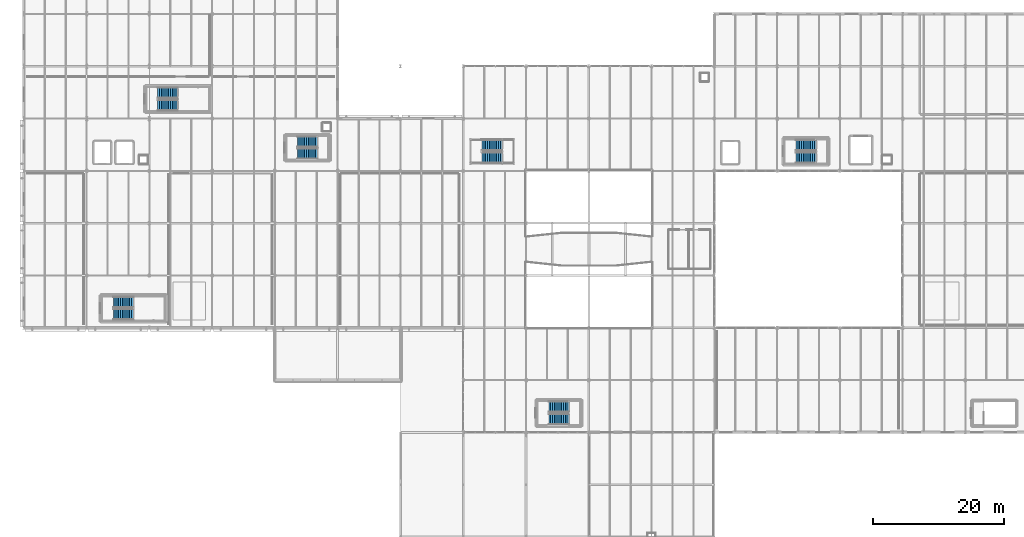
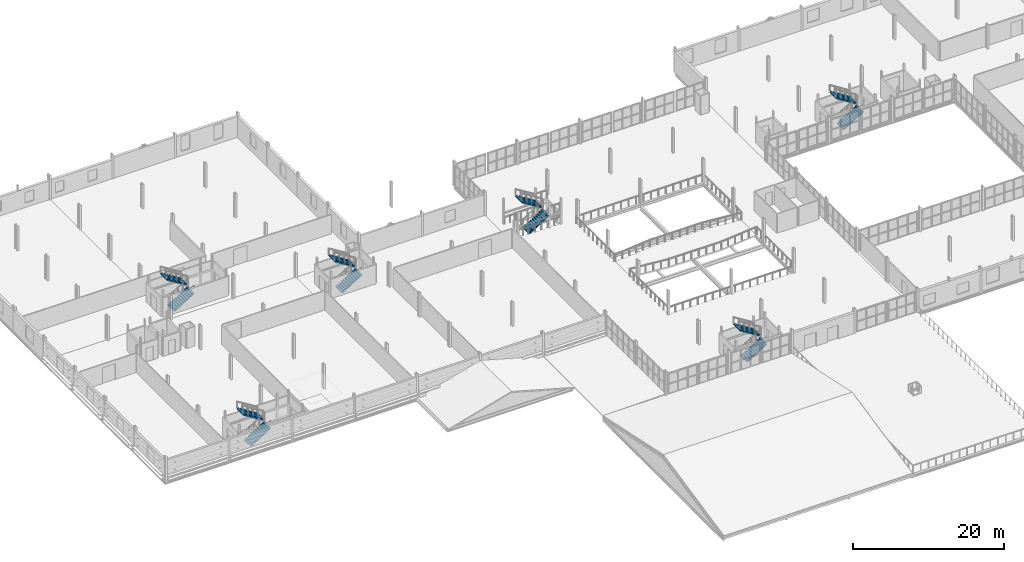
# One storey, part 77 of 85: 12 stair flights, 6 elements without a shape of their own.
"""IFC4 building model written with IfcOpenShell, lengths in metres."""

from ifc_helpers import new_model, si_unit, direction, frame, origin, place, context, subcontext, project, spatial, polyline, outline, extrude, material, type_object, element, aggregate, save


model = new_model("IFC4")

# Units and contexts
model_context = context("Model", 3, precision=1e-05, world=origin(), true_north=direction((0.0, 1.0)))
body_context = subcontext(model_context, "Body", "Model", "MODEL_VIEW")
ifc_project = project(units=[si_unit("LENGTHUNIT", "METRE"), si_unit("AREAUNIT", "SQUARE_METRE"), si_unit("VOLUMEUNIT", "CUBIC_METRE"), si_unit("PLANEANGLEUNIT", "RADIAN"), si_unit("MASSUNIT", "GRAM", prefix="KILO")], contexts=[model_context])

# Site, building, storey
site_placement = place(None, origin())
site = spatial("IfcSite", under=ifc_project, at=site_placement, CompositionType="ELEMENT")
building_placement = place(site_placement, origin())
building = spatial("IfcBuilding", under=site, at=building_placement, Name="Alderhovde Museum", CompositionType="ELEMENT")
storey_placement = place(building_placement, frame((0.0, 0.0, 8.699951171875)))
storey = spatial("IfcBuildingStorey", under=building, at=storey_placement, Name="L02", CompositionType="ELEMENT", Elevation=8.699951171875)

# Stair, stair flights
ifc_material_1 = material(Name="Concrete C35/45", Category="concrete")
stair_type = type_object("IfcStairType", Name="STR-1500-4200", PredefinedType="HALF_TURN_STAIR", material=ifc_material_1)
stair_1_placement = place(storey_placement, origin())
stair_1 = element("IfcStair", 1, at=stair_1_placement, inside=storey, type_object=stair_type, Name="L02 Escape Stair ST1", PredefinedType="HALF_TURN_STAIR")
ifc_material_2 = material(Name="Concrete C35/45", Category="concrete")
stair_flight_type = type_object("IfcStairFlightType", Name="STF-1500-4200", PredefinedType="STRAIGHT", material=ifc_material_2)
stair_flight_1_placement = place(storey_placement, frame((23.280029296875, 50.0400390625, 0.0), z_axis=(0.0, 0.0, 1.0), x_axis=(1.0, 0.0, 0.0)))
stair_flight_1 = element("IfcStairFlight", 2, at=stair_flight_1_placement, type_object=stair_flight_type, Name="ST1 flight 1", NumberOfRisers=12, NumberOfTreads=11, PredefinedType="STRAIGHT", RiserHeight=0.175, TreadLength=0.28, context=body_context, shape_type="SweptSolid", body=[
    extrude(outline(polyline([(0.0, 0.0), (0.0, 0.175048828125), (0.280029296875, 0.175048828125), (0.280029296875, 0.35009765625), (0.56005859375, 0.35009765625), (0.56005859375, 0.52490234375), (0.840087890625, 0.52490234375), (0.840087890625, 0.699951171875), (1.1201171875, 0.699951171875), (1.1201171875, 0.875), (1.39990234375, 0.875), (1.39990234375, 1.050048828125), (1.679931640625, 1.050048828125), (1.679931640625, 1.22509765625), (1.9599609375, 1.22509765625), (1.9599609375, 1.39990234375), (2.239990234375, 1.39990234375), (2.239990234375, 1.574951171875), (2.52001953125, 1.574951171875), (2.52001953125, 1.75), (2.800048828125, 1.75), (2.800048828125, 1.925048828125), (3.080078125, 1.925048828125), (3.080078125, 2.10009765625), (3.080078125, 1.748291015625), (0.28271484375, 0.0), (0.0, 0.0)])), frame((0.0, 0.83984375, 0.0), z_axis=(0.0, -1.0, 0.0), x_axis=(1.0, 0.0, 0.0)), (0.0, 0.0, 1.0), 1.679931640625),
])
stair_flight_2_placement = place(storey_placement, frame((26.360107421875, 51.919921875, 2.10009765625), z_axis=(0.0, 0.0, 1.0), x_axis=(-1.0, 0.0, 0.0)))
stair_flight_2 = element("IfcStairFlight", 3, at=stair_flight_2_placement, type_object=stair_flight_type, Name="ST1 flight 2", NumberOfRisers=12, NumberOfTreads=11, PredefinedType="STRAIGHT", RiserHeight=0.175, TreadLength=0.28, context=body_context, shape_type="SweptSolid", body=[
    extrude(outline(polyline([(0.0, 0.0), (0.0, 0.175048828125), (0.280029296875, 0.175048828125), (0.280029296875, 0.35009765625), (0.56005859375, 0.35009765625), (0.56005859375, 0.52490234375), (0.840087890625, 0.52490234375), (0.840087890625, 0.699951171875), (1.1201171875, 0.699951171875), (1.1201171875, 0.875), (1.39990234375, 0.875), (1.39990234375, 1.050048828125), (1.679931640625, 1.050048828125), (1.679931640625, 1.22509765625), (1.9599609375, 1.22509765625), (1.9599609375, 1.39990234375), (2.239990234375, 1.39990234375), (2.239990234375, 1.574951171875), (2.52001953125, 1.574951171875), (2.52001953125, 1.75), (2.800048828125, 1.75), (2.800048828125, 1.925048828125), (3.080078125, 1.925048828125), (3.080078125, 2.10009765625), (3.080078125, 1.748291015625), (0.28271484375, 0.0), (0.0, 0.0)])), frame((0.0, 0.83984375, 0.0), z_axis=(0.0, -1.0, 0.0), x_axis=(1.0, 0.0, 0.0)), (0.0, 0.0, 1.0), 1.679931640625),
])
aggregate(stair_1, [stair_flight_1, stair_flight_2])

stair_2_placement = place(storey_placement, origin())
stair_2 = element("IfcStair", 4, at=stair_2_placement, inside=storey, type_object=stair_type, Name="L02 Escape Stair ST2", PredefinedType="HALF_TURN_STAIR")
stair_flight_3_placement = place(storey_placement, frame((30.080078125, 82.0400390625, 0.0), z_axis=(0.0, 0.0, 1.0), x_axis=(1.0, 0.0, 0.0)))
stair_flight_3 = element("IfcStairFlight", 5, at=stair_flight_3_placement, type_object=stair_flight_type, Name="ST2 flight 1", NumberOfRisers=12, NumberOfTreads=11, PredefinedType="STRAIGHT", RiserHeight=0.175, TreadLength=0.28, context=body_context, shape_type="SweptSolid", body=[
    extrude(outline(polyline([(0.0, 0.0), (0.0, 0.175048828125), (0.280029296875, 0.175048828125), (0.280029296875, 0.35009765625), (0.56005859375, 0.35009765625), (0.56005859375, 0.52490234375), (0.840087890625, 0.52490234375), (0.840087890625, 0.699951171875), (1.1201171875, 0.699951171875), (1.1201171875, 0.875), (1.39990234375, 0.875), (1.39990234375, 1.050048828125), (1.679931640625, 1.050048828125), (1.679931640625, 1.22509765625), (1.9599609375, 1.22509765625), (1.9599609375, 1.39990234375), (2.239990234375, 1.39990234375), (2.239990234375, 1.574951171875), (2.52001953125, 1.574951171875), (2.52001953125, 1.75), (2.800048828125, 1.75), (2.800048828125, 1.925048828125), (3.080078125, 1.925048828125), (3.080078125, 2.10009765625), (3.080078125, 1.748291015625), (0.28271484375, 0.0), (0.0, 0.0)])), frame((0.0, 0.83984375, 0.0), z_axis=(0.0, -1.0, 0.0), x_axis=(1.0, 0.0, 0.0)), (0.0, 0.0, 1.0), 1.679931640625),
])
stair_flight_4_placement = place(storey_placement, frame((33.159912109375, 83.919921875, 2.10009765625), z_axis=(0.0, 0.0, 1.0), x_axis=(-1.0, 0.0, 0.0)))
stair_flight_4 = element("IfcStairFlight", 6, at=stair_flight_4_placement, type_object=stair_flight_type, Name="ST2 flight 2", NumberOfRisers=12, NumberOfTreads=11, PredefinedType="STRAIGHT", RiserHeight=0.175, TreadLength=0.28, context=body_context, shape_type="SweptSolid", body=[
    extrude(outline(polyline([(0.0, 0.0), (0.0, 0.175048828125), (0.280029296875, 0.175048828125), (0.280029296875, 0.35009765625), (0.56005859375, 0.35009765625), (0.56005859375, 0.52490234375), (0.840087890625, 0.52490234375), (0.840087890625, 0.699951171875), (1.1201171875, 0.699951171875), (1.1201171875, 0.875), (1.39990234375, 0.875), (1.39990234375, 1.050048828125), (1.679931640625, 1.050048828125), (1.679931640625, 1.22509765625), (1.9599609375, 1.22509765625), (1.9599609375, 1.39990234375), (2.239990234375, 1.39990234375), (2.239990234375, 1.574951171875), (2.52001953125, 1.574951171875), (2.52001953125, 1.75), (2.800048828125, 1.75), (2.800048828125, 1.925048828125), (3.080078125, 1.925048828125), (3.080078125, 2.10009765625), (3.080078125, 1.748291015625), (0.28271484375, 0.0), (0.0, 0.0)])), frame((0.0, 0.83984375, 0.0), z_axis=(0.0, -1.0, 0.0), x_axis=(1.0, 0.0, 0.0)), (0.0, 0.0, 1.0), 1.679931640625),
])
aggregate(stair_2, [stair_flight_3, stair_flight_4])

stair_3_placement = place(storey_placement, origin())
stair_3 = element("IfcStair", 7, at=stair_3_placement, inside=storey, type_object=stair_type, Name="L02 Escape Stair ST3", PredefinedType="HALF_TURN_STAIR")
stair_flight_5_placement = place(storey_placement, frame((89.8798828125, 34.0400390625, 0.0), z_axis=(0.0, 0.0, 1.0), x_axis=(1.0, 0.0, 0.0)))
stair_flight_5 = element("IfcStairFlight", 8, at=stair_flight_5_placement, type_object=stair_flight_type, Name="ST3 flight 1", NumberOfRisers=12, NumberOfTreads=11, PredefinedType="STRAIGHT", RiserHeight=0.175, TreadLength=0.28, context=body_context, shape_type="SweptSolid", body=[
    extrude(outline(polyline([(0.0, 0.0), (0.0, 0.175048828125), (0.280029296875, 0.175048828125), (0.280029296875, 0.35009765625), (0.56005859375, 0.35009765625), (0.56005859375, 0.52490234375), (0.840087890625, 0.52490234375), (0.840087890625, 0.699951171875), (1.1201171875, 0.699951171875), (1.1201171875, 0.875), (1.39990234375, 0.875), (1.39990234375, 1.050048828125), (1.679931640625, 1.050048828125), (1.679931640625, 1.22509765625), (1.9599609375, 1.22509765625), (1.9599609375, 1.39990234375), (2.239990234375, 1.39990234375), (2.239990234375, 1.574951171875), (2.52001953125, 1.574951171875), (2.52001953125, 1.75), (2.800048828125, 1.75), (2.800048828125, 1.925048828125), (3.080078125, 1.925048828125), (3.080078125, 2.10009765625), (3.080078125, 1.748291015625), (0.28271484375, 0.0), (0.0, 0.0)])), frame((0.0, 0.83984375, 0.0), z_axis=(0.0, -1.0, 0.0), x_axis=(1.0, 0.0, 0.0)), (0.0, 0.0, 1.0), 1.679931640625),
])
stair_flight_6_placement = place(storey_placement, frame((92.9599609375, 35.919921875, 2.10009765625), z_axis=(0.0, 0.0, 1.0), x_axis=(-1.0, 0.0, 0.0)))
stair_flight_6 = element("IfcStairFlight", 9, at=stair_flight_6_placement, type_object=stair_flight_type, Name="ST3 flight 2", NumberOfRisers=12, NumberOfTreads=11, PredefinedType="STRAIGHT", RiserHeight=0.175, TreadLength=0.28, context=body_context, shape_type="SweptSolid", body=[
    extrude(outline(polyline([(0.0, 0.0), (0.0, 0.175048828125), (0.280029296875, 0.175048828125), (0.280029296875, 0.35009765625), (0.56005859375, 0.35009765625), (0.56005859375, 0.52490234375), (0.840087890625, 0.52490234375), (0.840087890625, 0.699951171875), (1.1201171875, 0.699951171875), (1.1201171875, 0.875), (1.39990234375, 0.875), (1.39990234375, 1.050048828125), (1.679931640625, 1.050048828125), (1.679931640625, 1.22509765625), (1.9599609375, 1.22509765625), (1.9599609375, 1.39990234375), (2.239990234375, 1.39990234375), (2.239990234375, 1.574951171875), (2.52001953125, 1.574951171875), (2.52001953125, 1.75), (2.800048828125, 1.75), (2.800048828125, 1.925048828125), (3.080078125, 1.925048828125), (3.080078125, 2.10009765625), (3.080078125, 1.748291015625), (0.28271484375, 0.0), (0.0, 0.0)])), frame((0.0, 0.83984375, 0.0), z_axis=(0.0, -1.0, 0.0), x_axis=(1.0, 0.0, 0.0)), (0.0, 0.0, 1.0), 1.679931640625),
])
aggregate(stair_3, [stair_flight_5, stair_flight_6])

stair_4_placement = place(storey_placement, origin())
stair_4 = element("IfcStair", 10, at=stair_4_placement, inside=storey, type_object=stair_type, Name="L02 Escape Stair ST4", PredefinedType="HALF_TURN_STAIR")
stair_flight_7_placement = place(storey_placement, frame((127.679931640625, 74.0400390625, 0.0), z_axis=(0.0, 0.0, 1.0), x_axis=(1.0, 0.0, 0.0)))
stair_flight_7 = element("IfcStairFlight", 11, at=stair_flight_7_placement, type_object=stair_flight_type, Name="ST4 flight 1", NumberOfRisers=12, NumberOfTreads=11, PredefinedType="STRAIGHT", RiserHeight=0.175, TreadLength=0.28, context=body_context, shape_type="SweptSolid", body=[
    extrude(outline(polyline([(0.0, 0.0), (0.0, 0.175048828125), (0.280029296875, 0.175048828125), (0.280029296875, 0.35009765625), (0.56005859375, 0.35009765625), (0.56005859375, 0.52490234375), (0.840087890625, 0.52490234375), (0.840087890625, 0.699951171875), (1.1201171875, 0.699951171875), (1.1201171875, 0.875), (1.39990234375, 0.875), (1.39990234375, 1.050048828125), (1.679931640625, 1.050048828125), (1.679931640625, 1.22509765625), (1.9599609375, 1.22509765625), (1.9599609375, 1.39990234375), (2.239990234375, 1.39990234375), (2.239990234375, 1.574951171875), (2.52001953125, 1.574951171875), (2.52001953125, 1.75), (2.800048828125, 1.75), (2.800048828125, 1.925048828125), (3.080078125, 1.925048828125), (3.080078125, 2.10009765625), (3.080078125, 1.748291015625), (0.28271484375, 0.0), (0.0, 0.0)])), frame((0.0, 0.83984375, 0.0), z_axis=(0.0, -1.0, 0.0), x_axis=(1.0, 0.0, 0.0)), (0.0, 0.0, 1.0), 1.679931640625),
])
stair_flight_8_placement = place(storey_placement, frame((130.760009765625, 75.919921875, 2.10009765625), z_axis=(0.0, 0.0, 1.0), x_axis=(-1.0, 0.0, 0.0)))
stair_flight_8 = element("IfcStairFlight", 12, at=stair_flight_8_placement, type_object=stair_flight_type, Name="ST4 flight 2", NumberOfRisers=12, NumberOfTreads=11, PredefinedType="STRAIGHT", RiserHeight=0.175, TreadLength=0.28, context=body_context, shape_type="SweptSolid", body=[
    extrude(outline(polyline([(0.0, 0.0), (0.0, 0.175048828125), (0.280029296875, 0.175048828125), (0.280029296875, 0.35009765625), (0.56005859375, 0.35009765625), (0.56005859375, 0.52490234375), (0.840087890625, 0.52490234375), (0.840087890625, 0.699951171875), (1.1201171875, 0.699951171875), (1.1201171875, 0.875), (1.39990234375, 0.875), (1.39990234375, 1.050048828125), (1.679931640625, 1.050048828125), (1.679931640625, 1.22509765625), (1.9599609375, 1.22509765625), (1.9599609375, 1.39990234375), (2.239990234375, 1.39990234375), (2.239990234375, 1.574951171875), (2.52001953125, 1.574951171875), (2.52001953125, 1.75), (2.800048828125, 1.75), (2.800048828125, 1.925048828125), (3.080078125, 1.925048828125), (3.080078125, 2.10009765625), (3.080078125, 1.748291015625), (0.28271484375, 0.0), (0.0, 0.0)])), frame((0.0, 0.83984375, 0.0), z_axis=(0.0, -1.0, 0.0), x_axis=(1.0, 0.0, 0.0)), (0.0, 0.0, 1.0), 1.679931640625),
])
aggregate(stair_4, [stair_flight_7, stair_flight_8])

stair_5_placement = place(storey_placement, origin())
stair_5 = element("IfcStair", 13, at=stair_5_placement, inside=storey, type_object=stair_type, Name="L02 Conservatory Grand Stair ST5", PredefinedType="HALF_TURN_STAIR")
stair_flight_9_placement = place(storey_placement, frame((79.679931640625, 74.0400390625, 0.0), z_axis=(0.0, 0.0, 1.0), x_axis=(1.0, 0.0, 0.0)))
stair_flight_9 = element("IfcStairFlight", 14, at=stair_flight_9_placement, type_object=stair_flight_type, Name="ST5 flight 1", NumberOfRisers=12, NumberOfTreads=11, PredefinedType="STRAIGHT", RiserHeight=0.175, TreadLength=0.28, context=body_context, shape_type="SweptSolid", body=[
    extrude(outline(polyline([(0.0, 0.0), (0.0, 0.175048828125), (0.280029296875, 0.175048828125), (0.280029296875, 0.35009765625), (0.56005859375, 0.35009765625), (0.56005859375, 0.52490234375), (0.840087890625, 0.52490234375), (0.840087890625, 0.699951171875), (1.1201171875, 0.699951171875), (1.1201171875, 0.875), (1.39990234375, 0.875), (1.39990234375, 1.050048828125), (1.679931640625, 1.050048828125), (1.679931640625, 1.22509765625), (1.9599609375, 1.22509765625), (1.9599609375, 1.39990234375), (2.239990234375, 1.39990234375), (2.239990234375, 1.574951171875), (2.52001953125, 1.574951171875), (2.52001953125, 1.75), (2.800048828125, 1.75), (2.800048828125, 1.925048828125), (3.080078125, 1.925048828125), (3.080078125, 2.10009765625), (3.080078125, 1.748291015625), (0.28271484375, 0.0), (0.0, 0.0)])), frame((0.0, 0.83984375, 0.0), z_axis=(0.0, -1.0, 0.0), x_axis=(1.0, 0.0, 0.0)), (0.0, 0.0, 1.0), 1.679931640625),
])
stair_flight_10_placement = place(storey_placement, frame((82.760009765625, 75.919921875, 2.10009765625), z_axis=(0.0, 0.0, 1.0), x_axis=(-1.0, 0.0, 0.0)))
stair_flight_10 = element("IfcStairFlight", 15, at=stair_flight_10_placement, type_object=stair_flight_type, Name="ST5 flight 2", NumberOfRisers=12, NumberOfTreads=11, PredefinedType="STRAIGHT", RiserHeight=0.175, TreadLength=0.28, context=body_context, shape_type="SweptSolid", body=[
    extrude(outline(polyline([(0.0, 0.0), (0.0, 0.175048828125), (0.280029296875, 0.175048828125), (0.280029296875, 0.35009765625), (0.56005859375, 0.35009765625), (0.56005859375, 0.52490234375), (0.840087890625, 0.52490234375), (0.840087890625, 0.699951171875), (1.1201171875, 0.699951171875), (1.1201171875, 0.875), (1.39990234375, 0.875), (1.39990234375, 1.050048828125), (1.679931640625, 1.050048828125), (1.679931640625, 1.22509765625), (1.9599609375, 1.22509765625), (1.9599609375, 1.39990234375), (2.239990234375, 1.39990234375), (2.239990234375, 1.574951171875), (2.52001953125, 1.574951171875), (2.52001953125, 1.75), (2.800048828125, 1.75), (2.800048828125, 1.925048828125), (3.080078125, 1.925048828125), (3.080078125, 2.10009765625), (3.080078125, 1.748291015625), (0.28271484375, 0.0), (0.0, 0.0)])), frame((0.0, 0.83984375, 0.0), z_axis=(0.0, -1.0, 0.0), x_axis=(1.0, 0.0, 0.0)), (0.0, 0.0, 1.0), 1.679931640625),
])
aggregate(stair_5, [stair_flight_9, stair_flight_10])

stair_6_placement = place(storey_placement, origin())
stair_6 = element("IfcStair", 16, at=stair_6_placement, inside=storey, type_object=stair_type, Name="L02 Gallery Stair ST6", PredefinedType="HALF_TURN_STAIR")
stair_flight_11_placement = place(storey_placement, frame((51.43994140625, 74.6201171875, 0.0), z_axis=(0.0, 0.0, 1.0), x_axis=(1.0, 0.0, 0.0)))
stair_flight_11 = element("IfcStairFlight", 17, at=stair_flight_11_placement, type_object=stair_flight_type, Name="ST6 flight 1", NumberOfRisers=12, NumberOfTreads=11, PredefinedType="STRAIGHT", RiserHeight=0.175, TreadLength=0.28, context=body_context, shape_type="SweptSolid", body=[
    extrude(outline(polyline([(0.0, 0.0), (0.0, 0.175048828125), (0.280029296875, 0.175048828125), (0.280029296875, 0.35009765625), (0.56005859375, 0.35009765625), (0.56005859375, 0.52490234375), (0.840087890625, 0.52490234375), (0.840087890625, 0.699951171875), (1.1201171875, 0.699951171875), (1.1201171875, 0.875), (1.39990234375, 0.875), (1.39990234375, 1.050048828125), (1.679931640625, 1.050048828125), (1.679931640625, 1.22509765625), (1.9599609375, 1.22509765625), (1.9599609375, 1.39990234375), (2.239990234375, 1.39990234375), (2.239990234375, 1.574951171875), (2.52001953125, 1.574951171875), (2.52001953125, 1.75), (2.800048828125, 1.75), (2.800048828125, 1.925048828125), (3.080078125, 1.925048828125), (3.080078125, 2.10009765625), (3.080078125, 1.748291015625), (0.28271484375, 0.0), (0.0, 0.0)])), frame((0.0, 0.81982421875, 0.0), z_axis=(0.0, -1.0, 0.0), x_axis=(1.0, 0.0, 0.0)), (0.0, 0.0, 1.0), 1.639892578125),
])
stair_flight_12_placement = place(storey_placement, frame((54.52001953125, 76.4599609375, 2.10009765625), z_axis=(0.0, 0.0, 1.0), x_axis=(-1.0, 0.0, 0.0)))
stair_flight_12 = element("IfcStairFlight", 18, at=stair_flight_12_placement, type_object=stair_flight_type, Name="ST6 flight 2", NumberOfRisers=12, NumberOfTreads=11, PredefinedType="STRAIGHT", RiserHeight=0.175, TreadLength=0.28, context=body_context, shape_type="SweptSolid", body=[
    extrude(outline(polyline([(0.0, 0.0), (0.0, 0.175048828125), (0.280029296875, 0.175048828125), (0.280029296875, 0.35009765625), (0.56005859375, 0.35009765625), (0.56005859375, 0.52490234375), (0.840087890625, 0.52490234375), (0.840087890625, 0.699951171875), (1.1201171875, 0.699951171875), (1.1201171875, 0.875), (1.39990234375, 0.875), (1.39990234375, 1.050048828125), (1.679931640625, 1.050048828125), (1.679931640625, 1.22509765625), (1.9599609375, 1.22509765625), (1.9599609375, 1.39990234375), (2.239990234375, 1.39990234375), (2.239990234375, 1.574951171875), (2.52001953125, 1.574951171875), (2.52001953125, 1.75), (2.800048828125, 1.75), (2.800048828125, 1.925048828125), (3.080078125, 1.925048828125), (3.080078125, 2.10009765625), (3.080078125, 1.748291015625), (0.28271484375, 0.0), (0.0, 0.0)])), frame((0.0, 0.81982421875, 0.0), z_axis=(0.0, -1.0, 0.0), x_axis=(1.0, 0.0, 0.0)), (0.0, 0.0, 1.0), 1.639892578125),
])
aggregate(stair_6, [stair_flight_11, stair_flight_12])

save(model, "model.ifc")
